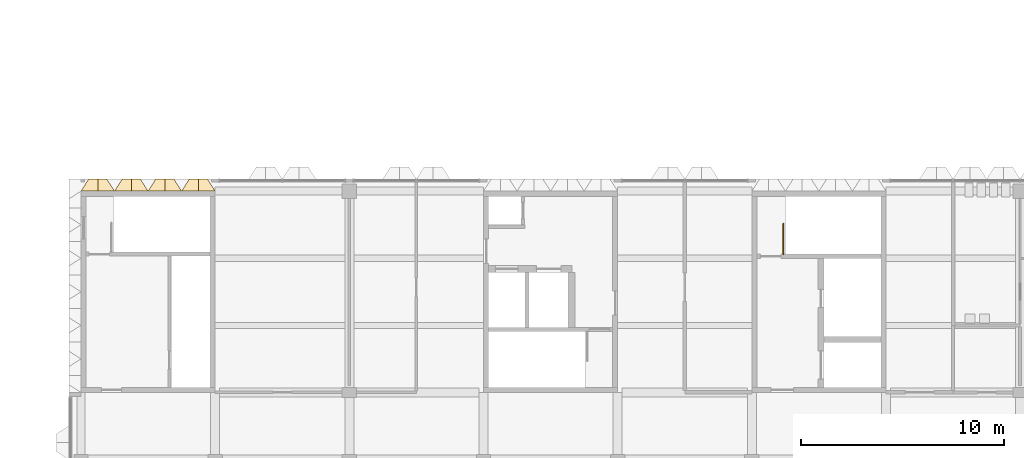
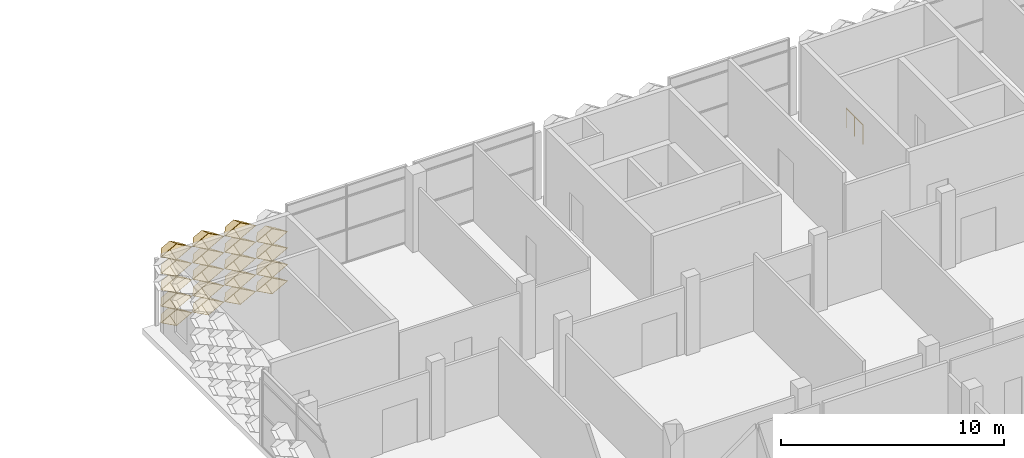
# One storey, part 41 of 61: 19 coverings, 1 railing.
"""IFC4 building model written with IfcOpenShell, lengths in metres."""

from ifc_helpers import new_model, entity, si_unit, direction, frame, origin, origin_2d, place, context, subcontext, project, spatial, circle, extrude, material, layer, layer_set, type_object, element, save


model = new_model("IFC4")

# Units and contexts
model_context = context("Model", 3, precision=1e-05, world=origin(), true_north=direction((0.0, 1.0)))
body_context = subcontext(model_context, "Body", "Model", "MODEL_VIEW")
ifc_project = project(units=[si_unit("LENGTHUNIT", "METRE"), si_unit("AREAUNIT", "SQUARE_METRE"), si_unit("VOLUMEUNIT", "CUBIC_METRE"), si_unit("PLANEANGLEUNIT", "RADIAN"), si_unit("MASSUNIT", "GRAM", prefix="KILO")], contexts=[model_context])

# Site, building, storey
site_placement = place(None, origin())
site = spatial("IfcSite", under=ifc_project, at=site_placement, CompositionType="ELEMENT")
building_placement = place(site_placement, origin())
building = spatial("IfcBuilding", under=site, at=building_placement, Name="Lantern Court Research Institute", CompositionType="ELEMENT")
storey_placement = place(building_placement, frame((0.0, 0.0, 23.39990234375)))
storey = spatial("IfcBuildingStorey", under=building, at=storey_placement, Name="L05", CompositionType="ELEMENT", Elevation=23.39990234375)

# Coverings
ifc_material_1 = material(Name="Anodised aluminium", Category="aluminium")
ifc_layer = layer(ifc_material_1, 0.01611328125)
ifc_layer_set = layer_set([ifc_layer], Name="Anodised aluminium")
covering_type = type_object("IfcCoveringType", Name="Fin cassette 1650 x 900 x 600 aluminium", PredefinedType="CLADDING", material=ifc_layer_set)
covering_1_placement = place(storey_placement, frame((0.824951171875, 23.10009765625, 0.4501953125), z_axis=(0.0, 1.0, 0.0), x_axis=(-1.0, 0.0, 0.0)))
cartesian_point_1 = entity("IfcCartesianPoint", [0.824951171875, 0.0])
cartesian_point_2 = entity("IfcCartesianPoint", [0.79150390625, 0.0])
cartesian_point_3 = entity("IfcCartesianPoint", [0.44189453125, 0.0])
cartesian_point_4 = entity("IfcCartesianPoint", [0.43359375, 0.0])
element("IfcCovering", 1, at=covering_1_placement, inside=storey, type_object=covering_type, Name="Fin cassette V4N-L05 1.1", PredefinedType="CLADDING", context=body_context, shape_type="SweptSolid", body=[
    entity("IfcExtrudedAreaSolidTapered", entity("IfcArbitraryProfileDefWithVoids", "AREA", None, entity("IfcPolyline", [cartesian_point_1, entity("IfcCartesianPoint", [0.0, 0.449951171875]), entity("IfcCartesianPoint", [-0.824951171875, 0.0]), entity("IfcCartesianPoint", [0.0, -0.449951171875]), cartesian_point_1]), [entity("IfcPolyline", [cartesian_point_2, entity("IfcCartesianPoint", [0.0, 0.431884765625]), entity("IfcCartesianPoint", [-0.79150390625, 0.0]), entity("IfcCartesianPoint", [0.0, -0.431884765625]), cartesian_point_2])]), entity("IfcAxis2Placement3D", entity("IfcCartesianPoint", [0.0, 0.0, 0.0])), entity("IfcDirection", [0.0, 0.0, 1.0]), 0.60009765625, entity("IfcArbitraryProfileDefWithVoids", "AREA", None, entity("IfcPolyline", [cartesian_point_3, entity("IfcCartesianPoint", [0.0, 0.240966796875]), entity("IfcCartesianPoint", [-0.44189453125, 0.0]), entity("IfcCartesianPoint", [0.0, -0.240966796875]), cartesian_point_3]), [entity("IfcPolyline", [cartesian_point_4, entity("IfcCartesianPoint", [0.0, 0.236572265625]), entity("IfcCartesianPoint", [-0.43359375, 0.0]), entity("IfcCartesianPoint", [0.0, -0.236572265625]), cartesian_point_4])])),
])
covering_2_placement = place(storey_placement, frame((2.47509765625, 23.10009765625, 0.4501953125), z_axis=(0.0, 1.0, 0.0), x_axis=(-1.0, 0.0, 0.0)))
cartesian_point_5 = entity("IfcCartesianPoint", [0.824951171875, 0.0])
cartesian_point_6 = entity("IfcCartesianPoint", [0.79150390625, 0.0])
cartesian_point_7 = entity("IfcCartesianPoint", [0.44189453125, 0.0])
cartesian_point_8 = entity("IfcCartesianPoint", [0.43359375, 0.0])
element("IfcCovering", 2, at=covering_2_placement, inside=storey, type_object=covering_type, Name="Fin cassette V4N-L05 1.2", PredefinedType="CLADDING", context=body_context, shape_type="SweptSolid", body=[
    entity("IfcExtrudedAreaSolidTapered", entity("IfcArbitraryProfileDefWithVoids", "AREA", None, entity("IfcPolyline", [cartesian_point_5, entity("IfcCartesianPoint", [0.0, 0.449951171875]), entity("IfcCartesianPoint", [-0.824951171875, 0.0]), entity("IfcCartesianPoint", [0.0, -0.449951171875]), cartesian_point_5]), [entity("IfcPolyline", [cartesian_point_6, entity("IfcCartesianPoint", [0.0, 0.431884765625]), entity("IfcCartesianPoint", [-0.79150390625, 0.0]), entity("IfcCartesianPoint", [0.0, -0.431884765625]), cartesian_point_6])]), entity("IfcAxis2Placement3D", entity("IfcCartesianPoint", [0.0, 0.0, 0.0])), entity("IfcDirection", [0.0, 0.0, 1.0]), 0.60009765625, entity("IfcArbitraryProfileDefWithVoids", "AREA", None, entity("IfcPolyline", [cartesian_point_7, entity("IfcCartesianPoint", [0.0, 0.240966796875]), entity("IfcCartesianPoint", [-0.44189453125, 0.0]), entity("IfcCartesianPoint", [0.0, -0.240966796875]), cartesian_point_7]), [entity("IfcPolyline", [cartesian_point_8, entity("IfcCartesianPoint", [0.0, 0.236572265625]), entity("IfcCartesianPoint", [-0.43359375, 0.0]), entity("IfcCartesianPoint", [0.0, -0.236572265625]), cartesian_point_8])])),
])
covering_3_placement = place(storey_placement, frame((4.125, 23.10009765625, 0.4501953125), z_axis=(0.0, 1.0, 0.0), x_axis=(-1.0, 0.0, 0.0)))
cartesian_point_9 = entity("IfcCartesianPoint", [0.824951171875, 0.0])
cartesian_point_10 = entity("IfcCartesianPoint", [0.79150390625, 0.0])
cartesian_point_11 = entity("IfcCartesianPoint", [0.44189453125, 0.0])
cartesian_point_12 = entity("IfcCartesianPoint", [0.43359375, 0.0])
element("IfcCovering", 3, at=covering_3_placement, inside=storey, type_object=covering_type, Name="Fin cassette V4N-L05 1.3", PredefinedType="CLADDING", context=body_context, shape_type="SweptSolid", body=[
    entity("IfcExtrudedAreaSolidTapered", entity("IfcArbitraryProfileDefWithVoids", "AREA", None, entity("IfcPolyline", [cartesian_point_9, entity("IfcCartesianPoint", [0.0, 0.449951171875]), entity("IfcCartesianPoint", [-0.824951171875, 0.0]), entity("IfcCartesianPoint", [0.0, -0.449951171875]), cartesian_point_9]), [entity("IfcPolyline", [cartesian_point_10, entity("IfcCartesianPoint", [0.0, 0.431884765625]), entity("IfcCartesianPoint", [-0.79150390625, 0.0]), entity("IfcCartesianPoint", [0.0, -0.431884765625]), cartesian_point_10])]), entity("IfcAxis2Placement3D", entity("IfcCartesianPoint", [0.0, 0.0, 0.0])), entity("IfcDirection", [0.0, 0.0, 1.0]), 0.60009765625, entity("IfcArbitraryProfileDefWithVoids", "AREA", None, entity("IfcPolyline", [cartesian_point_11, entity("IfcCartesianPoint", [0.0, 0.240966796875]), entity("IfcCartesianPoint", [-0.44189453125, 0.0]), entity("IfcCartesianPoint", [0.0, -0.240966796875]), cartesian_point_11]), [entity("IfcPolyline", [cartesian_point_12, entity("IfcCartesianPoint", [0.0, 0.236572265625]), entity("IfcCartesianPoint", [-0.43359375, 0.0]), entity("IfcCartesianPoint", [0.0, -0.236572265625]), cartesian_point_12])])),
])
covering_4_placement = place(storey_placement, frame((5.77490234375, 23.10009765625, 0.4501953125), z_axis=(0.0, 1.0, 0.0), x_axis=(-1.0, 0.0, 0.0)))
cartesian_point_13 = entity("IfcCartesianPoint", [0.824951171875, 0.0])
cartesian_point_14 = entity("IfcCartesianPoint", [0.79150390625, 0.0])
cartesian_point_15 = entity("IfcCartesianPoint", [0.44189453125, 0.0])
cartesian_point_16 = entity("IfcCartesianPoint", [0.43359375, 0.0])
element("IfcCovering", 4, at=covering_4_placement, inside=storey, type_object=covering_type, Name="Fin cassette V4N-L05 1.4", PredefinedType="CLADDING", context=body_context, shape_type="SweptSolid", body=[
    entity("IfcExtrudedAreaSolidTapered", entity("IfcArbitraryProfileDefWithVoids", "AREA", None, entity("IfcPolyline", [cartesian_point_13, entity("IfcCartesianPoint", [0.0, 0.449951171875]), entity("IfcCartesianPoint", [-0.824951171875, 0.0]), entity("IfcCartesianPoint", [0.0, -0.449951171875]), cartesian_point_13]), [entity("IfcPolyline", [cartesian_point_14, entity("IfcCartesianPoint", [0.0, 0.431884765625]), entity("IfcCartesianPoint", [-0.79150390625, 0.0]), entity("IfcCartesianPoint", [0.0, -0.431884765625]), cartesian_point_14])]), entity("IfcAxis2Placement3D", entity("IfcCartesianPoint", [0.0, 0.0, 0.0])), entity("IfcDirection", [0.0, 0.0, 1.0]), 0.60009765625, entity("IfcArbitraryProfileDefWithVoids", "AREA", None, entity("IfcPolyline", [cartesian_point_15, entity("IfcCartesianPoint", [0.0, 0.240966796875]), entity("IfcCartesianPoint", [-0.44189453125, 0.0]), entity("IfcCartesianPoint", [0.0, -0.240966796875]), cartesian_point_15]), [entity("IfcPolyline", [cartesian_point_16, entity("IfcCartesianPoint", [0.0, 0.236572265625]), entity("IfcCartesianPoint", [-0.43359375, 0.0]), entity("IfcCartesianPoint", [0.0, -0.236572265625]), cartesian_point_16])])),
])
covering_5_placement = place(storey_placement, frame((0.824951171875, 23.10009765625, 1.35009765625), z_axis=(0.0, 1.0, 0.0), x_axis=(-1.0, 0.0, 0.0)))
cartesian_point_17 = entity("IfcCartesianPoint", [0.824951171875, 0.0])
cartesian_point_18 = entity("IfcCartesianPoint", [0.79150390625, 0.0])
cartesian_point_19 = entity("IfcCartesianPoint", [0.44189453125, 0.0])
cartesian_point_20 = entity("IfcCartesianPoint", [0.43359375, 0.0])
element("IfcCovering", 5, at=covering_5_placement, inside=storey, type_object=covering_type, Name="Fin cassette V4N-L05 2.1", PredefinedType="CLADDING", context=body_context, shape_type="SweptSolid", body=[
    entity("IfcExtrudedAreaSolidTapered", entity("IfcArbitraryProfileDefWithVoids", "AREA", None, entity("IfcPolyline", [cartesian_point_17, entity("IfcCartesianPoint", [0.0, 0.449951171875]), entity("IfcCartesianPoint", [-0.824951171875, 0.0]), entity("IfcCartesianPoint", [0.0, -0.449951171875]), cartesian_point_17]), [entity("IfcPolyline", [cartesian_point_18, entity("IfcCartesianPoint", [0.0, 0.431884765625]), entity("IfcCartesianPoint", [-0.79150390625, 0.0]), entity("IfcCartesianPoint", [0.0, -0.431884765625]), cartesian_point_18])]), entity("IfcAxis2Placement3D", entity("IfcCartesianPoint", [0.0, 0.0, 0.0])), entity("IfcDirection", [0.0, 0.0, 1.0]), 0.60009765625, entity("IfcArbitraryProfileDefWithVoids", "AREA", None, entity("IfcPolyline", [cartesian_point_19, entity("IfcCartesianPoint", [0.0, 0.240966796875]), entity("IfcCartesianPoint", [-0.44189453125, 0.0]), entity("IfcCartesianPoint", [0.0, -0.240966796875]), cartesian_point_19]), [entity("IfcPolyline", [cartesian_point_20, entity("IfcCartesianPoint", [0.0, 0.236572265625]), entity("IfcCartesianPoint", [-0.43359375, 0.0]), entity("IfcCartesianPoint", [0.0, -0.236572265625]), cartesian_point_20])])),
])
covering_6_placement = place(storey_placement, frame((2.47509765625, 23.10009765625, 1.35009765625), z_axis=(0.0, 1.0, 0.0), x_axis=(-1.0, 0.0, 0.0)))
cartesian_point_21 = entity("IfcCartesianPoint", [0.824951171875, 0.0])
cartesian_point_22 = entity("IfcCartesianPoint", [0.79150390625, 0.0])
cartesian_point_23 = entity("IfcCartesianPoint", [0.44189453125, 0.0])
cartesian_point_24 = entity("IfcCartesianPoint", [0.43359375, 0.0])
element("IfcCovering", 6, at=covering_6_placement, inside=storey, type_object=covering_type, Name="Fin cassette V4N-L05 2.2", PredefinedType="CLADDING", context=body_context, shape_type="SweptSolid", body=[
    entity("IfcExtrudedAreaSolidTapered", entity("IfcArbitraryProfileDefWithVoids", "AREA", None, entity("IfcPolyline", [cartesian_point_21, entity("IfcCartesianPoint", [0.0, 0.449951171875]), entity("IfcCartesianPoint", [-0.824951171875, 0.0]), entity("IfcCartesianPoint", [0.0, -0.449951171875]), cartesian_point_21]), [entity("IfcPolyline", [cartesian_point_22, entity("IfcCartesianPoint", [0.0, 0.431884765625]), entity("IfcCartesianPoint", [-0.79150390625, 0.0]), entity("IfcCartesianPoint", [0.0, -0.431884765625]), cartesian_point_22])]), entity("IfcAxis2Placement3D", entity("IfcCartesianPoint", [0.0, 0.0, 0.0])), entity("IfcDirection", [0.0, 0.0, 1.0]), 0.60009765625, entity("IfcArbitraryProfileDefWithVoids", "AREA", None, entity("IfcPolyline", [cartesian_point_23, entity("IfcCartesianPoint", [0.0, 0.240966796875]), entity("IfcCartesianPoint", [-0.44189453125, 0.0]), entity("IfcCartesianPoint", [0.0, -0.240966796875]), cartesian_point_23]), [entity("IfcPolyline", [cartesian_point_24, entity("IfcCartesianPoint", [0.0, 0.236572265625]), entity("IfcCartesianPoint", [-0.43359375, 0.0]), entity("IfcCartesianPoint", [0.0, -0.236572265625]), cartesian_point_24])])),
])
covering_7_placement = place(storey_placement, frame((4.125, 23.10009765625, 1.35009765625), z_axis=(0.0, 1.0, 0.0), x_axis=(-1.0, 0.0, 0.0)))
cartesian_point_25 = entity("IfcCartesianPoint", [0.824951171875, 0.0])
cartesian_point_26 = entity("IfcCartesianPoint", [0.79150390625, 0.0])
cartesian_point_27 = entity("IfcCartesianPoint", [0.44189453125, 0.0])
cartesian_point_28 = entity("IfcCartesianPoint", [0.43359375, 0.0])
element("IfcCovering", 7, at=covering_7_placement, inside=storey, type_object=covering_type, Name="Fin cassette V4N-L05 2.3", PredefinedType="CLADDING", context=body_context, shape_type="SweptSolid", body=[
    entity("IfcExtrudedAreaSolidTapered", entity("IfcArbitraryProfileDefWithVoids", "AREA", None, entity("IfcPolyline", [cartesian_point_25, entity("IfcCartesianPoint", [0.0, 0.449951171875]), entity("IfcCartesianPoint", [-0.824951171875, 0.0]), entity("IfcCartesianPoint", [0.0, -0.449951171875]), cartesian_point_25]), [entity("IfcPolyline", [cartesian_point_26, entity("IfcCartesianPoint", [0.0, 0.431884765625]), entity("IfcCartesianPoint", [-0.79150390625, 0.0]), entity("IfcCartesianPoint", [0.0, -0.431884765625]), cartesian_point_26])]), entity("IfcAxis2Placement3D", entity("IfcCartesianPoint", [0.0, 0.0, 0.0])), entity("IfcDirection", [0.0, 0.0, 1.0]), 0.60009765625, entity("IfcArbitraryProfileDefWithVoids", "AREA", None, entity("IfcPolyline", [cartesian_point_27, entity("IfcCartesianPoint", [0.0, 0.240966796875]), entity("IfcCartesianPoint", [-0.44189453125, 0.0]), entity("IfcCartesianPoint", [0.0, -0.240966796875]), cartesian_point_27]), [entity("IfcPolyline", [cartesian_point_28, entity("IfcCartesianPoint", [0.0, 0.236572265625]), entity("IfcCartesianPoint", [-0.43359375, 0.0]), entity("IfcCartesianPoint", [0.0, -0.236572265625]), cartesian_point_28])])),
])
covering_8_placement = place(storey_placement, frame((5.77490234375, 23.10009765625, 1.35009765625), z_axis=(0.0, 1.0, 0.0), x_axis=(-1.0, 0.0, 0.0)))
cartesian_point_29 = entity("IfcCartesianPoint", [0.824951171875, 0.0])
cartesian_point_30 = entity("IfcCartesianPoint", [0.79150390625, 0.0])
cartesian_point_31 = entity("IfcCartesianPoint", [0.44189453125, 0.0])
cartesian_point_32 = entity("IfcCartesianPoint", [0.43359375, 0.0])
element("IfcCovering", 8, at=covering_8_placement, inside=storey, type_object=covering_type, Name="Fin cassette V4N-L05 2.4", PredefinedType="CLADDING", context=body_context, shape_type="SweptSolid", body=[
    entity("IfcExtrudedAreaSolidTapered", entity("IfcArbitraryProfileDefWithVoids", "AREA", None, entity("IfcPolyline", [cartesian_point_29, entity("IfcCartesianPoint", [0.0, 0.449951171875]), entity("IfcCartesianPoint", [-0.824951171875, 0.0]), entity("IfcCartesianPoint", [0.0, -0.449951171875]), cartesian_point_29]), [entity("IfcPolyline", [cartesian_point_30, entity("IfcCartesianPoint", [0.0, 0.431884765625]), entity("IfcCartesianPoint", [-0.79150390625, 0.0]), entity("IfcCartesianPoint", [0.0, -0.431884765625]), cartesian_point_30])]), entity("IfcAxis2Placement3D", entity("IfcCartesianPoint", [0.0, 0.0, 0.0])), entity("IfcDirection", [0.0, 0.0, 1.0]), 0.60009765625, entity("IfcArbitraryProfileDefWithVoids", "AREA", None, entity("IfcPolyline", [cartesian_point_31, entity("IfcCartesianPoint", [0.0, 0.240966796875]), entity("IfcCartesianPoint", [-0.44189453125, 0.0]), entity("IfcCartesianPoint", [0.0, -0.240966796875]), cartesian_point_31]), [entity("IfcPolyline", [cartesian_point_32, entity("IfcCartesianPoint", [0.0, 0.236572265625]), entity("IfcCartesianPoint", [-0.43359375, 0.0]), entity("IfcCartesianPoint", [0.0, -0.236572265625]), cartesian_point_32])])),
])
covering_9_placement = place(storey_placement, frame((0.824951171875, 23.10009765625, 2.25), z_axis=(0.0, 1.0, 0.0), x_axis=(-1.0, 0.0, 0.0)))
cartesian_point_33 = entity("IfcCartesianPoint", [0.824951171875, 0.0])
cartesian_point_34 = entity("IfcCartesianPoint", [0.79150390625, 0.0])
cartesian_point_35 = entity("IfcCartesianPoint", [0.44189453125, 0.0])
cartesian_point_36 = entity("IfcCartesianPoint", [0.43359375, 0.0])
element("IfcCovering", 9, at=covering_9_placement, inside=storey, type_object=covering_type, Name="Fin cassette V4N-L05 3.1", PredefinedType="CLADDING", context=body_context, shape_type="SweptSolid", body=[
    entity("IfcExtrudedAreaSolidTapered", entity("IfcArbitraryProfileDefWithVoids", "AREA", None, entity("IfcPolyline", [cartesian_point_33, entity("IfcCartesianPoint", [0.0, 0.449951171875]), entity("IfcCartesianPoint", [-0.824951171875, 0.0]), entity("IfcCartesianPoint", [0.0, -0.449951171875]), cartesian_point_33]), [entity("IfcPolyline", [cartesian_point_34, entity("IfcCartesianPoint", [0.0, 0.431884765625]), entity("IfcCartesianPoint", [-0.79150390625, 0.0]), entity("IfcCartesianPoint", [0.0, -0.431884765625]), cartesian_point_34])]), entity("IfcAxis2Placement3D", entity("IfcCartesianPoint", [0.0, 0.0, 0.0])), entity("IfcDirection", [0.0, 0.0, 1.0]), 0.60009765625, entity("IfcArbitraryProfileDefWithVoids", "AREA", None, entity("IfcPolyline", [cartesian_point_35, entity("IfcCartesianPoint", [0.0, 0.240966796875]), entity("IfcCartesianPoint", [-0.44189453125, 0.0]), entity("IfcCartesianPoint", [0.0, -0.240966796875]), cartesian_point_35]), [entity("IfcPolyline", [cartesian_point_36, entity("IfcCartesianPoint", [0.0, 0.236572265625]), entity("IfcCartesianPoint", [-0.43359375, 0.0]), entity("IfcCartesianPoint", [0.0, -0.236572265625]), cartesian_point_36])])),
])
covering_10_placement = place(storey_placement, frame((2.47509765625, 23.10009765625, 2.25), z_axis=(0.0, 1.0, 0.0), x_axis=(-1.0, 0.0, 0.0)))
cartesian_point_37 = entity("IfcCartesianPoint", [0.824951171875, 0.0])
cartesian_point_38 = entity("IfcCartesianPoint", [0.79150390625, 0.0])
cartesian_point_39 = entity("IfcCartesianPoint", [0.44189453125, 0.0])
cartesian_point_40 = entity("IfcCartesianPoint", [0.43359375, 0.0])
element("IfcCovering", 10, at=covering_10_placement, inside=storey, type_object=covering_type, Name="Fin cassette V4N-L05 3.2", PredefinedType="CLADDING", context=body_context, shape_type="SweptSolid", body=[
    entity("IfcExtrudedAreaSolidTapered", entity("IfcArbitraryProfileDefWithVoids", "AREA", None, entity("IfcPolyline", [cartesian_point_37, entity("IfcCartesianPoint", [0.0, 0.449951171875]), entity("IfcCartesianPoint", [-0.824951171875, 0.0]), entity("IfcCartesianPoint", [0.0, -0.449951171875]), cartesian_point_37]), [entity("IfcPolyline", [cartesian_point_38, entity("IfcCartesianPoint", [0.0, 0.431884765625]), entity("IfcCartesianPoint", [-0.79150390625, 0.0]), entity("IfcCartesianPoint", [0.0, -0.431884765625]), cartesian_point_38])]), entity("IfcAxis2Placement3D", entity("IfcCartesianPoint", [0.0, 0.0, 0.0])), entity("IfcDirection", [0.0, 0.0, 1.0]), 0.60009765625, entity("IfcArbitraryProfileDefWithVoids", "AREA", None, entity("IfcPolyline", [cartesian_point_39, entity("IfcCartesianPoint", [0.0, 0.240966796875]), entity("IfcCartesianPoint", [-0.44189453125, 0.0]), entity("IfcCartesianPoint", [0.0, -0.240966796875]), cartesian_point_39]), [entity("IfcPolyline", [cartesian_point_40, entity("IfcCartesianPoint", [0.0, 0.236572265625]), entity("IfcCartesianPoint", [-0.43359375, 0.0]), entity("IfcCartesianPoint", [0.0, -0.236572265625]), cartesian_point_40])])),
])
covering_11_placement = place(storey_placement, frame((4.125, 23.10009765625, 2.25), z_axis=(0.0, 1.0, 0.0), x_axis=(-1.0, 0.0, 0.0)))
cartesian_point_41 = entity("IfcCartesianPoint", [0.824951171875, 0.0])
cartesian_point_42 = entity("IfcCartesianPoint", [0.79150390625, 0.0])
cartesian_point_43 = entity("IfcCartesianPoint", [0.44189453125, 0.0])
cartesian_point_44 = entity("IfcCartesianPoint", [0.43359375, 0.0])
element("IfcCovering", 11, at=covering_11_placement, inside=storey, type_object=covering_type, Name="Fin cassette V4N-L05 3.3", PredefinedType="CLADDING", context=body_context, shape_type="SweptSolid", body=[
    entity("IfcExtrudedAreaSolidTapered", entity("IfcArbitraryProfileDefWithVoids", "AREA", None, entity("IfcPolyline", [cartesian_point_41, entity("IfcCartesianPoint", [0.0, 0.449951171875]), entity("IfcCartesianPoint", [-0.824951171875, 0.0]), entity("IfcCartesianPoint", [0.0, -0.449951171875]), cartesian_point_41]), [entity("IfcPolyline", [cartesian_point_42, entity("IfcCartesianPoint", [0.0, 0.431884765625]), entity("IfcCartesianPoint", [-0.79150390625, 0.0]), entity("IfcCartesianPoint", [0.0, -0.431884765625]), cartesian_point_42])]), entity("IfcAxis2Placement3D", entity("IfcCartesianPoint", [0.0, 0.0, 0.0])), entity("IfcDirection", [0.0, 0.0, 1.0]), 0.60009765625, entity("IfcArbitraryProfileDefWithVoids", "AREA", None, entity("IfcPolyline", [cartesian_point_43, entity("IfcCartesianPoint", [0.0, 0.240966796875]), entity("IfcCartesianPoint", [-0.44189453125, 0.0]), entity("IfcCartesianPoint", [0.0, -0.240966796875]), cartesian_point_43]), [entity("IfcPolyline", [cartesian_point_44, entity("IfcCartesianPoint", [0.0, 0.236572265625]), entity("IfcCartesianPoint", [-0.43359375, 0.0]), entity("IfcCartesianPoint", [0.0, -0.236572265625]), cartesian_point_44])])),
])
covering_12_placement = place(storey_placement, frame((5.77490234375, 23.10009765625, 2.25), z_axis=(0.0, 1.0, 0.0), x_axis=(-1.0, 0.0, 0.0)))
cartesian_point_45 = entity("IfcCartesianPoint", [0.824951171875, 0.0])
cartesian_point_46 = entity("IfcCartesianPoint", [0.79150390625, 0.0])
cartesian_point_47 = entity("IfcCartesianPoint", [0.44189453125, 0.0])
cartesian_point_48 = entity("IfcCartesianPoint", [0.43359375, 0.0])
element("IfcCovering", 12, at=covering_12_placement, inside=storey, type_object=covering_type, Name="Fin cassette V4N-L05 3.4", PredefinedType="CLADDING", context=body_context, shape_type="SweptSolid", body=[
    entity("IfcExtrudedAreaSolidTapered", entity("IfcArbitraryProfileDefWithVoids", "AREA", None, entity("IfcPolyline", [cartesian_point_45, entity("IfcCartesianPoint", [0.0, 0.449951171875]), entity("IfcCartesianPoint", [-0.824951171875, 0.0]), entity("IfcCartesianPoint", [0.0, -0.449951171875]), cartesian_point_45]), [entity("IfcPolyline", [cartesian_point_46, entity("IfcCartesianPoint", [0.0, 0.431884765625]), entity("IfcCartesianPoint", [-0.79150390625, 0.0]), entity("IfcCartesianPoint", [0.0, -0.431884765625]), cartesian_point_46])]), entity("IfcAxis2Placement3D", entity("IfcCartesianPoint", [0.0, 0.0, 0.0])), entity("IfcDirection", [0.0, 0.0, 1.0]), 0.60009765625, entity("IfcArbitraryProfileDefWithVoids", "AREA", None, entity("IfcPolyline", [cartesian_point_47, entity("IfcCartesianPoint", [0.0, 0.240966796875]), entity("IfcCartesianPoint", [-0.44189453125, 0.0]), entity("IfcCartesianPoint", [0.0, -0.240966796875]), cartesian_point_47]), [entity("IfcPolyline", [cartesian_point_48, entity("IfcCartesianPoint", [0.0, 0.236572265625]), entity("IfcCartesianPoint", [-0.43359375, 0.0]), entity("IfcCartesianPoint", [0.0, -0.236572265625]), cartesian_point_48])])),
])
covering_13_placement = place(storey_placement, frame((0.824951171875, 23.10009765625, 3.150146484375), z_axis=(0.0, 1.0, 0.0), x_axis=(-1.0, 0.0, 0.0)))
cartesian_point_49 = entity("IfcCartesianPoint", [0.824951171875, 0.0])
cartesian_point_50 = entity("IfcCartesianPoint", [0.79150390625, 0.0])
cartesian_point_51 = entity("IfcCartesianPoint", [0.44189453125, 0.0])
cartesian_point_52 = entity("IfcCartesianPoint", [0.43359375, 0.0])
element("IfcCovering", 13, at=covering_13_placement, inside=storey, type_object=covering_type, Name="Fin cassette V4N-L05 4.1", PredefinedType="CLADDING", context=body_context, shape_type="SweptSolid", body=[
    entity("IfcExtrudedAreaSolidTapered", entity("IfcArbitraryProfileDefWithVoids", "AREA", None, entity("IfcPolyline", [cartesian_point_49, entity("IfcCartesianPoint", [0.0, 0.449951171875]), entity("IfcCartesianPoint", [-0.824951171875, 0.0]), entity("IfcCartesianPoint", [0.0, -0.449951171875]), cartesian_point_49]), [entity("IfcPolyline", [cartesian_point_50, entity("IfcCartesianPoint", [0.0, 0.431884765625]), entity("IfcCartesianPoint", [-0.79150390625, 0.0]), entity("IfcCartesianPoint", [0.0, -0.431884765625]), cartesian_point_50])]), entity("IfcAxis2Placement3D", entity("IfcCartesianPoint", [0.0, 0.0, 0.0])), entity("IfcDirection", [0.0, 0.0, 1.0]), 0.60009765625, entity("IfcArbitraryProfileDefWithVoids", "AREA", None, entity("IfcPolyline", [cartesian_point_51, entity("IfcCartesianPoint", [0.0, 0.240966796875]), entity("IfcCartesianPoint", [-0.44189453125, 0.0]), entity("IfcCartesianPoint", [0.0, -0.240966796875]), cartesian_point_51]), [entity("IfcPolyline", [cartesian_point_52, entity("IfcCartesianPoint", [0.0, 0.236572265625]), entity("IfcCartesianPoint", [-0.43359375, 0.0]), entity("IfcCartesianPoint", [0.0, -0.236572265625]), cartesian_point_52])])),
])
covering_14_placement = place(storey_placement, frame((2.47509765625, 23.10009765625, 3.150146484375), z_axis=(0.0, 1.0, 0.0), x_axis=(-1.0, 0.0, 0.0)))
cartesian_point_53 = entity("IfcCartesianPoint", [0.824951171875, 0.0])
cartesian_point_54 = entity("IfcCartesianPoint", [0.79150390625, 0.0])
cartesian_point_55 = entity("IfcCartesianPoint", [0.44189453125, 0.0])
cartesian_point_56 = entity("IfcCartesianPoint", [0.43359375, 0.0])
element("IfcCovering", 14, at=covering_14_placement, inside=storey, type_object=covering_type, Name="Fin cassette V4N-L05 4.2", PredefinedType="CLADDING", context=body_context, shape_type="SweptSolid", body=[
    entity("IfcExtrudedAreaSolidTapered", entity("IfcArbitraryProfileDefWithVoids", "AREA", None, entity("IfcPolyline", [cartesian_point_53, entity("IfcCartesianPoint", [0.0, 0.449951171875]), entity("IfcCartesianPoint", [-0.824951171875, 0.0]), entity("IfcCartesianPoint", [0.0, -0.449951171875]), cartesian_point_53]), [entity("IfcPolyline", [cartesian_point_54, entity("IfcCartesianPoint", [0.0, 0.431884765625]), entity("IfcCartesianPoint", [-0.79150390625, 0.0]), entity("IfcCartesianPoint", [0.0, -0.431884765625]), cartesian_point_54])]), entity("IfcAxis2Placement3D", entity("IfcCartesianPoint", [0.0, 0.0, 0.0])), entity("IfcDirection", [0.0, 0.0, 1.0]), 0.60009765625, entity("IfcArbitraryProfileDefWithVoids", "AREA", None, entity("IfcPolyline", [cartesian_point_55, entity("IfcCartesianPoint", [0.0, 0.240966796875]), entity("IfcCartesianPoint", [-0.44189453125, 0.0]), entity("IfcCartesianPoint", [0.0, -0.240966796875]), cartesian_point_55]), [entity("IfcPolyline", [cartesian_point_56, entity("IfcCartesianPoint", [0.0, 0.236572265625]), entity("IfcCartesianPoint", [-0.43359375, 0.0]), entity("IfcCartesianPoint", [0.0, -0.236572265625]), cartesian_point_56])])),
])
covering_15_placement = place(storey_placement, frame((4.125, 23.10009765625, 3.150146484375), z_axis=(0.0, 1.0, 0.0), x_axis=(-1.0, 0.0, 0.0)))
cartesian_point_57 = entity("IfcCartesianPoint", [0.824951171875, 0.0])
cartesian_point_58 = entity("IfcCartesianPoint", [0.79150390625, 0.0])
cartesian_point_59 = entity("IfcCartesianPoint", [0.44189453125, 0.0])
cartesian_point_60 = entity("IfcCartesianPoint", [0.43359375, 0.0])
element("IfcCovering", 15, at=covering_15_placement, inside=storey, type_object=covering_type, Name="Fin cassette V4N-L05 4.3", PredefinedType="CLADDING", context=body_context, shape_type="SweptSolid", body=[
    entity("IfcExtrudedAreaSolidTapered", entity("IfcArbitraryProfileDefWithVoids", "AREA", None, entity("IfcPolyline", [cartesian_point_57, entity("IfcCartesianPoint", [0.0, 0.449951171875]), entity("IfcCartesianPoint", [-0.824951171875, 0.0]), entity("IfcCartesianPoint", [0.0, -0.449951171875]), cartesian_point_57]), [entity("IfcPolyline", [cartesian_point_58, entity("IfcCartesianPoint", [0.0, 0.431884765625]), entity("IfcCartesianPoint", [-0.79150390625, 0.0]), entity("IfcCartesianPoint", [0.0, -0.431884765625]), cartesian_point_58])]), entity("IfcAxis2Placement3D", entity("IfcCartesianPoint", [0.0, 0.0, 0.0])), entity("IfcDirection", [0.0, 0.0, 1.0]), 0.60009765625, entity("IfcArbitraryProfileDefWithVoids", "AREA", None, entity("IfcPolyline", [cartesian_point_59, entity("IfcCartesianPoint", [0.0, 0.240966796875]), entity("IfcCartesianPoint", [-0.44189453125, 0.0]), entity("IfcCartesianPoint", [0.0, -0.240966796875]), cartesian_point_59]), [entity("IfcPolyline", [cartesian_point_60, entity("IfcCartesianPoint", [0.0, 0.236572265625]), entity("IfcCartesianPoint", [-0.43359375, 0.0]), entity("IfcCartesianPoint", [0.0, -0.236572265625]), cartesian_point_60])])),
])
covering_16_placement = place(storey_placement, frame((5.77490234375, 23.10009765625, 3.150146484375), z_axis=(0.0, 1.0, 0.0), x_axis=(-1.0, 0.0, 0.0)))
cartesian_point_61 = entity("IfcCartesianPoint", [0.824951171875, 0.0])
cartesian_point_62 = entity("IfcCartesianPoint", [0.79150390625, 0.0])
cartesian_point_63 = entity("IfcCartesianPoint", [0.44189453125, 0.0])
cartesian_point_64 = entity("IfcCartesianPoint", [0.43359375, 0.0])
element("IfcCovering", 16, at=covering_16_placement, inside=storey, type_object=covering_type, Name="Fin cassette V4N-L05 4.4", PredefinedType="CLADDING", context=body_context, shape_type="SweptSolid", body=[
    entity("IfcExtrudedAreaSolidTapered", entity("IfcArbitraryProfileDefWithVoids", "AREA", None, entity("IfcPolyline", [cartesian_point_61, entity("IfcCartesianPoint", [0.0, 0.449951171875]), entity("IfcCartesianPoint", [-0.824951171875, 0.0]), entity("IfcCartesianPoint", [0.0, -0.449951171875]), cartesian_point_61]), [entity("IfcPolyline", [cartesian_point_62, entity("IfcCartesianPoint", [0.0, 0.431884765625]), entity("IfcCartesianPoint", [-0.79150390625, 0.0]), entity("IfcCartesianPoint", [0.0, -0.431884765625]), cartesian_point_62])]), entity("IfcAxis2Placement3D", entity("IfcCartesianPoint", [0.0, 0.0, 0.0])), entity("IfcDirection", [0.0, 0.0, 1.0]), 0.60009765625, entity("IfcArbitraryProfileDefWithVoids", "AREA", None, entity("IfcPolyline", [cartesian_point_63, entity("IfcCartesianPoint", [0.0, 0.240966796875]), entity("IfcCartesianPoint", [-0.44189453125, 0.0]), entity("IfcCartesianPoint", [0.0, -0.240966796875]), cartesian_point_63]), [entity("IfcPolyline", [cartesian_point_64, entity("IfcCartesianPoint", [0.0, 0.236572265625]), entity("IfcCartesianPoint", [-0.43359375, 0.0]), entity("IfcCartesianPoint", [0.0, -0.236572265625]), cartesian_point_64])])),
])
covering_17_placement = place(storey_placement, frame((0.824951171875, 23.10009765625, 4.050048828125), z_axis=(0.0, 1.0, 0.0), x_axis=(-1.0, 0.0, 0.0)))
cartesian_point_65 = entity("IfcCartesianPoint", [0.824951171875, 0.0])
cartesian_point_66 = entity("IfcCartesianPoint", [0.79150390625, 0.0])
cartesian_point_67 = entity("IfcCartesianPoint", [0.44189453125, 0.0])
cartesian_point_68 = entity("IfcCartesianPoint", [0.43359375, 0.0])
element("IfcCovering", 17, at=covering_17_placement, inside=storey, type_object=covering_type, Name="Fin cassette V4N-L05 5.1", PredefinedType="CLADDING", context=body_context, shape_type="SweptSolid", body=[
    entity("IfcExtrudedAreaSolidTapered", entity("IfcArbitraryProfileDefWithVoids", "AREA", None, entity("IfcPolyline", [cartesian_point_65, entity("IfcCartesianPoint", [0.0, 0.449951171875]), entity("IfcCartesianPoint", [-0.824951171875, 0.0]), entity("IfcCartesianPoint", [0.0, -0.449951171875]), cartesian_point_65]), [entity("IfcPolyline", [cartesian_point_66, entity("IfcCartesianPoint", [0.0, 0.431884765625]), entity("IfcCartesianPoint", [-0.79150390625, 0.0]), entity("IfcCartesianPoint", [0.0, -0.431884765625]), cartesian_point_66])]), entity("IfcAxis2Placement3D", entity("IfcCartesianPoint", [0.0, 0.0, 0.0])), entity("IfcDirection", [0.0, 0.0, 1.0]), 0.60009765625, entity("IfcArbitraryProfileDefWithVoids", "AREA", None, entity("IfcPolyline", [cartesian_point_67, entity("IfcCartesianPoint", [0.0, 0.240966796875]), entity("IfcCartesianPoint", [-0.44189453125, 0.0]), entity("IfcCartesianPoint", [0.0, -0.240966796875]), cartesian_point_67]), [entity("IfcPolyline", [cartesian_point_68, entity("IfcCartesianPoint", [0.0, 0.236572265625]), entity("IfcCartesianPoint", [-0.43359375, 0.0]), entity("IfcCartesianPoint", [0.0, -0.236572265625]), cartesian_point_68])])),
])
covering_18_placement = place(storey_placement, frame((2.47509765625, 23.10009765625, 4.050048828125), z_axis=(0.0, 1.0, 0.0), x_axis=(-1.0, 0.0, 0.0)))
cartesian_point_69 = entity("IfcCartesianPoint", [0.824951171875, 0.0])
cartesian_point_70 = entity("IfcCartesianPoint", [0.79150390625, 0.0])
cartesian_point_71 = entity("IfcCartesianPoint", [0.44189453125, 0.0])
cartesian_point_72 = entity("IfcCartesianPoint", [0.43359375, 0.0])
element("IfcCovering", 18, at=covering_18_placement, inside=storey, type_object=covering_type, Name="Fin cassette V4N-L05 5.2", PredefinedType="CLADDING", context=body_context, shape_type="SweptSolid", body=[
    entity("IfcExtrudedAreaSolidTapered", entity("IfcArbitraryProfileDefWithVoids", "AREA", None, entity("IfcPolyline", [cartesian_point_69, entity("IfcCartesianPoint", [0.0, 0.449951171875]), entity("IfcCartesianPoint", [-0.824951171875, 0.0]), entity("IfcCartesianPoint", [0.0, -0.449951171875]), cartesian_point_69]), [entity("IfcPolyline", [cartesian_point_70, entity("IfcCartesianPoint", [0.0, 0.431884765625]), entity("IfcCartesianPoint", [-0.79150390625, 0.0]), entity("IfcCartesianPoint", [0.0, -0.431884765625]), cartesian_point_70])]), entity("IfcAxis2Placement3D", entity("IfcCartesianPoint", [0.0, 0.0, 0.0])), entity("IfcDirection", [0.0, 0.0, 1.0]), 0.60009765625, entity("IfcArbitraryProfileDefWithVoids", "AREA", None, entity("IfcPolyline", [cartesian_point_71, entity("IfcCartesianPoint", [0.0, 0.240966796875]), entity("IfcCartesianPoint", [-0.44189453125, 0.0]), entity("IfcCartesianPoint", [0.0, -0.240966796875]), cartesian_point_71]), [entity("IfcPolyline", [cartesian_point_72, entity("IfcCartesianPoint", [0.0, 0.236572265625]), entity("IfcCartesianPoint", [-0.43359375, 0.0]), entity("IfcCartesianPoint", [0.0, -0.236572265625]), cartesian_point_72])])),
])
covering_19_placement = place(storey_placement, frame((4.125, 23.10009765625, 4.050048828125), z_axis=(0.0, 1.0, 0.0), x_axis=(-1.0, 0.0, 0.0)))
cartesian_point_73 = entity("IfcCartesianPoint", [0.824951171875, 0.0])
cartesian_point_74 = entity("IfcCartesianPoint", [0.79150390625, 0.0])
cartesian_point_75 = entity("IfcCartesianPoint", [0.44189453125, 0.0])
cartesian_point_76 = entity("IfcCartesianPoint", [0.43359375, 0.0])
element("IfcCovering", 19, at=covering_19_placement, inside=storey, type_object=covering_type, Name="Fin cassette V4N-L05 5.3", PredefinedType="CLADDING", context=body_context, shape_type="SweptSolid", body=[
    entity("IfcExtrudedAreaSolidTapered", entity("IfcArbitraryProfileDefWithVoids", "AREA", None, entity("IfcPolyline", [cartesian_point_73, entity("IfcCartesianPoint", [0.0, 0.449951171875]), entity("IfcCartesianPoint", [-0.824951171875, 0.0]), entity("IfcCartesianPoint", [0.0, -0.449951171875]), cartesian_point_73]), [entity("IfcPolyline", [cartesian_point_74, entity("IfcCartesianPoint", [0.0, 0.431884765625]), entity("IfcCartesianPoint", [-0.79150390625, 0.0]), entity("IfcCartesianPoint", [0.0, -0.431884765625]), cartesian_point_74])]), entity("IfcAxis2Placement3D", entity("IfcCartesianPoint", [0.0, 0.0, 0.0])), entity("IfcDirection", [0.0, 0.0, 1.0]), 0.60009765625, entity("IfcArbitraryProfileDefWithVoids", "AREA", None, entity("IfcPolyline", [cartesian_point_75, entity("IfcCartesianPoint", [0.0, 0.240966796875]), entity("IfcCartesianPoint", [-0.44189453125, 0.0]), entity("IfcCartesianPoint", [0.0, -0.240966796875]), cartesian_point_75]), [entity("IfcPolyline", [cartesian_point_76, entity("IfcCartesianPoint", [0.0, 0.236572265625]), entity("IfcCartesianPoint", [-0.43359375, 0.0]), entity("IfcCartesianPoint", [0.0, -0.236572265625]), cartesian_point_76])])),
])

# Railing
ifc_material_2 = material(Name="Structural steel S355", Category="steel")
railing_type = type_object("IfcRailingType", Name="Stair guard 1100 steel", PredefinedType="GUARDRAIL", material=ifc_material_2)
railing_placement = place(storey_placement, frame((34.550048828125, 20.0, 0.0)))
element("IfcRailing", 20, at=railing_placement, inside=storey, type_object=railing_type, Name="L05 ST-B3 top well guard 1", PredefinedType="GUARDRAIL", context=body_context, shape_type="SweptSolid", body=[
    extrude(circle(Radius=0.02392578125, at=origin_2d()), frame((0.0, 0.0, 1.076171875), z_axis=(0.0, 1.0, 0.0), x_axis=(-1.0, 0.0, 0.0)), (0.0, 0.0, 1.0), 1.5),
    extrude(circle(Radius=0.02099609375, at=origin_2d()), origin(), (0.0, 0.0, 1.0), 1.052001953125),
    extrude(circle(Radius=0.02099609375, at=origin_2d()), frame((0.0, 0.75, 0.0)), (0.0, 0.0, 1.0), 1.052001953125),
    extrude(circle(Radius=0.02099609375, at=origin_2d()), frame((0.0, 1.5, 0.0)), (0.0, 0.0, 1.0), 1.052001953125),
])

save(model, "model.ifc")
